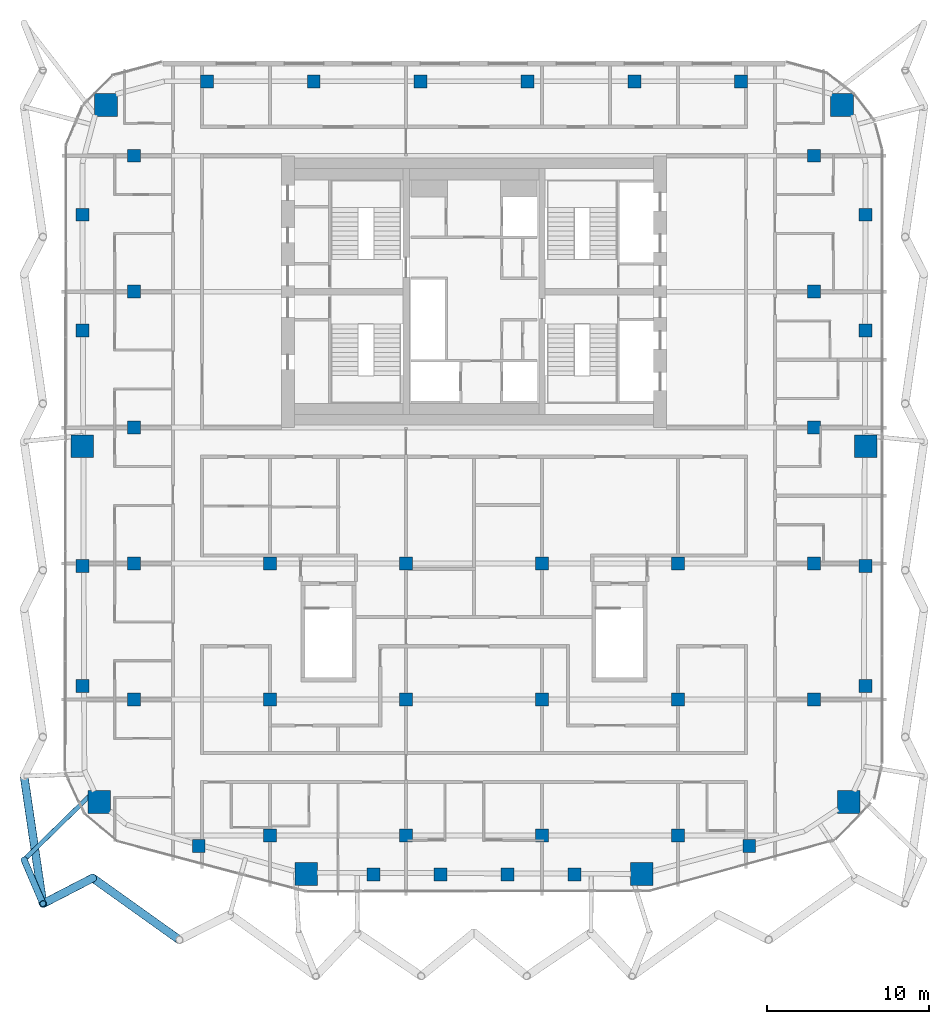
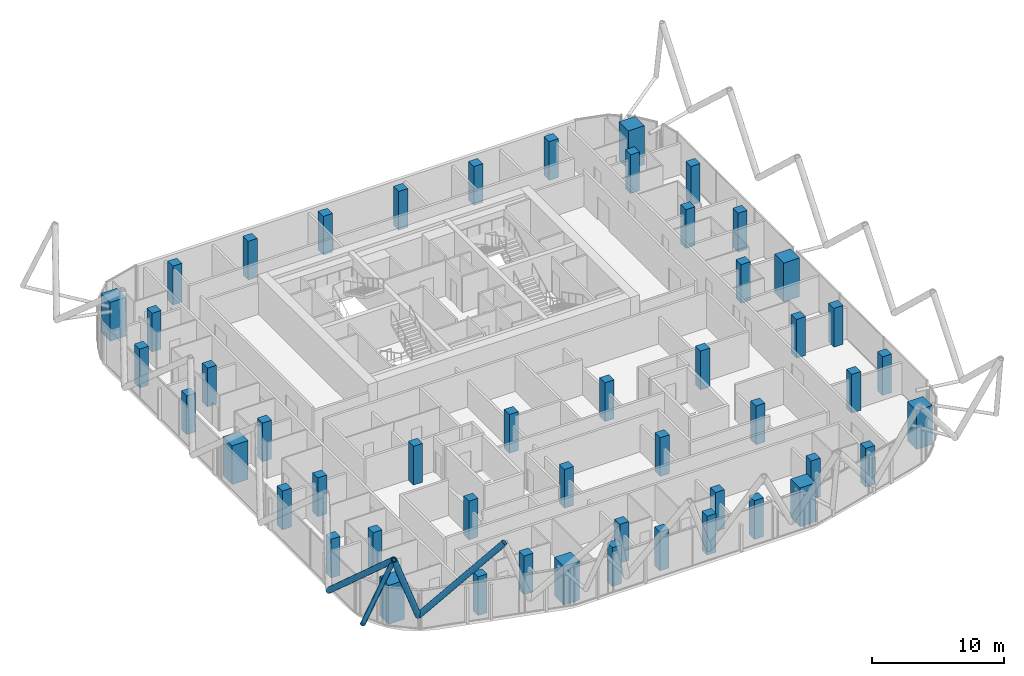
# One storey, part 1 of 33: 50 columns, 5 members.
"""IFC4 building model written with IfcOpenShell, lengths in metres."""

from ifc_helpers import new_model, si_unit, direction, frame, origin, origin_2d, place, context, subcontext, project, spatial, rectangle, hollow_circle, extrude, material, material_profile, profile_set, type_object, element, save


model = new_model("IFC4")

# Units and contexts
model_context = context("Model", 3, precision=1e-05, world=origin(), true_north=direction((0.0, 1.0)))
body_context = subcontext(model_context, "Body", "Model", "MODEL_VIEW")
ifc_project = project(units=[si_unit("LENGTHUNIT", "METRE"), si_unit("AREAUNIT", "SQUARE_METRE"), si_unit("VOLUMEUNIT", "CUBIC_METRE"), si_unit("PLANEANGLEUNIT", "RADIAN"), si_unit("MASSUNIT", "GRAM", prefix="KILO")], contexts=[model_context])

# Site, building, storey
site_placement = place(None, origin())
site = spatial("IfcSite", under=ifc_project, at=site_placement, CompositionType="ELEMENT")
building_placement = place(site_placement, origin())
building = spatial("IfcBuilding", under=site, at=building_placement, Name="Marenta Gate Hotel Tower", CompositionType="ELEMENT")
storey_placement = place(building_placement, frame((0.0, 0.0, 248.89990234375)))
storey = spatial("IfcBuildingStorey", under=building, at=storey_placement, Name="L59", CompositionType="ELEMENT", Elevation=248.89990234375)

# Columns
ifc_material_1 = material(Name="Concrete C60", Category="concrete")
ifc_material_profile_1 = material_profile(ifc_material_1, rectangle(XDim=0.800048828125, YDim=0.800048828125, at=origin_2d()), Name="800 x 800")
ifc_profile_set_1 = profile_set([ifc_material_profile_1], Name="Concrete C60")
column_type_1 = type_object("IfcColumnType", Name="Edge column 800 x 800 C60", PredefinedType="COLUMN", material=ifc_profile_set_1)
for number, where, z_axis, x_axis, name in (
    (1, (-24.199951171875, -15.951904296875, 0.0), (0.0, 0.0, 1.0), (1.0, 0.0, 0.0), "L59-EC-SW-W-1"),
    (2, (-24.199951171875, -8.55078125, 0.0), (0.0, 0.0, 1.0), (1.0, 0.0, 0.0), "L59-EC-SW-W-2"),
    (3, (-24.199951171875, 6.003173828125, 0.0), (0.0, 0.0, 1.0), (1.0, 0.0, 0.0), "L59-EC-W-NW-1"),
    (4, (-24.199951171875, 13.156494140625, 0.0), (0.0, 0.0, 1.0), (1.0, 0.0, 0.0), "L59-EC-W-NW-2"),
    (5, (-16.5068359375, 21.39990234375, 0.0), (0.0, 0.0, 1.0), (1.0, 0.0, 0.0), "L59-EC-NW-NE-1"),
    (6, (-9.904052734375, 21.39990234375, 0.0), (0.0, 0.0, 1.0), (1.0, 0.0, 0.0), "L59-EC-NW-NE-2"),
    (7, (-3.301513671875, 21.39990234375, 0.0), (0.0, 0.0, 1.0), (1.0, 0.0, 0.0), "L59-EC-NW-NE-3"),
    (8, (3.301513671875, 21.39990234375, 0.0), (0.0, 0.0, 1.0), (1.0, 0.0, 0.0), "L59-EC-NW-NE-4"),
    (9, (9.904052734375, 21.39990234375, 0.0), (0.0, 0.0, 1.0), (1.0, 0.0, 0.0), "L59-EC-NW-NE-5"),
    (10, (16.5068359375, 21.39990234375, 0.0), (0.0, 0.0, 1.0), (1.0, 0.0, 0.0), "L59-EC-NW-NE-6"),
    (11, (24.199951171875, 13.156494140625, 0.0), (0.0, 0.0, 1.0), (1.0, 0.0, 0.0), "L59-EC-NE-E-1"),
    (12, (24.199951171875, 6.003173828125, 0.0), (0.0, 0.0, 1.0), (1.0, 0.0, 0.0), "L59-EC-NE-E-2"),
    (13, (24.199951171875, -8.55078125, 0.0), (0.0, 0.0, 1.0), (1.0, 0.0, 0.0), "L59-EC-E-SE-1"),
    (14, (24.199951171875, -15.951904296875, 0.0), (0.0, 0.0, 1.0), (1.0, 0.0, 0.0), "L59-EC-E-SE-2"),
    (15, (17.0068359375, -25.839111328125, 0.0), (0.0, 0.0, 1.0), (1.0, 0.0, 0.0), "L59-EC-SE-SKE-1"),
    (16, (6.22021484375, -27.60009765625, 0.0), (0.0, 0.0, 1.0), (1.0, 0.0, 0.0), "L59-EC-SKE-SKW-1"),
    (17, (2.073486328125, -27.60009765625, 0.0), (0.0, 0.0, 1.0), (1.0, 0.0, 0.0), "L59-EC-SKE-SKW-2"),
    (18, (-2.073486328125, -27.60009765625, 0.0), (0.0, 0.0, 1.0), (1.0, 0.0, 0.0), "L59-EC-SKE-SKW-3"),
    (19, (-6.22021484375, -27.60009765625, 0.0), (0.0, 0.0, 1.0), (1.0, 0.0, 0.0), "L59-EC-SKE-SKW-4"),
    (20, (-17.0068359375, -25.839111328125, 0.0), (0.0, 0.0, 1.0), (1.0, 0.0, 0.0), "L59-EC-SKW-SW-1"),
):
    element("IfcColumn", number, at=place(storey_placement, frame(where, z_axis=z_axis, x_axis=x_axis)), inside=storey, type_object=column_type_1, Name=name, PredefinedType="COLUMN", context=body_context, shape_type="SweptSolid", body=[
        extrude(rectangle(XDim=0.800048828125, YDim=0.800048828125, at=origin_2d()), origin(), (0.0, 0.0, 1.0), 3.60009765625),
    ])
ifc_material_2 = material(Name="Concrete C60", Category="concrete")
ifc_material_profile_2 = material_profile(ifc_material_2, rectangle(XDim=0.800048828125, YDim=0.800048828125, at=origin_2d()), Name="800 x 800")
ifc_profile_set_2 = profile_set([ifc_material_profile_2], Name="Concrete C60")
column_type_2 = type_object("IfcColumnType", Name="Interior column 800 x 800 C60", PredefinedType="COLUMN", material=ifc_profile_set_2)
for number, where, z_axis, x_axis, name in (
    (21, (-21.0, -16.800048828125, 0.0), (0.0, 0.0, 1.0), (1.0, 0.0, 0.0), "L59-IC-4D"),
    (22, (-21.0, -8.39990234375, 0.0), (0.0, 0.0, 1.0), (1.0, 0.0, 0.0), "L59-IC-4E"),
    (23, (-21.0, 0.0, 0.0), (0.0, 0.0, 1.0), (1.0, 0.0, 0.0), "L59-IC-4F"),
    (24, (-21.0, 8.39990234375, 0.0), (0.0, 0.0, 1.0), (1.0, 0.0, 0.0), "L59-IC-4G"),
    (25, (-21.0, 16.800048828125, 0.0), (0.0, 0.0, 1.0), (1.0, 0.0, 0.0), "L59-IC-4H"),
    (26, (-12.60009765625, -25.199951171875, 0.0), (0.0, 0.0, 1.0), (1.0, 0.0, 0.0), "L59-IC-5C"),
    (27, (-12.60009765625, -16.800048828125, 0.0), (0.0, 0.0, 1.0), (1.0, 0.0, 0.0), "L59-IC-5D"),
    (28, (-12.60009765625, -8.39990234375, 0.0), (0.0, 0.0, 1.0), (1.0, 0.0, 0.0), "L59-IC-5E"),
    (29, (-4.199951171875, -25.199951171875, 0.0), (0.0, 0.0, 1.0), (1.0, 0.0, 0.0), "L59-IC-6C"),
    (30, (-4.199951171875, -16.800048828125, 0.0), (0.0, 0.0, 1.0), (1.0, 0.0, 0.0), "L59-IC-6D"),
    (31, (-4.199951171875, -8.39990234375, 0.0), (0.0, 0.0, 1.0), (1.0, 0.0, 0.0), "L59-IC-6E"),
    (32, (4.199951171875, -25.199951171875, 0.0), (0.0, 0.0, 1.0), (1.0, 0.0, 0.0), "L59-IC-7C"),
    (33, (4.199951171875, -16.800048828125, 0.0), (0.0, 0.0, 1.0), (1.0, 0.0, 0.0), "L59-IC-7D"),
    (34, (4.199951171875, -8.39990234375, 0.0), (0.0, 0.0, 1.0), (1.0, 0.0, 0.0), "L59-IC-7E"),
    (35, (12.60009765625, -25.199951171875, 0.0), (0.0, 0.0, 1.0), (1.0, 0.0, 0.0), "L59-IC-8C"),
    (36, (12.60009765625, -16.800048828125, 0.0), (0.0, 0.0, 1.0), (1.0, 0.0, 0.0), "L59-IC-8D"),
    (37, (12.60009765625, -8.39990234375, 0.0), (0.0, 0.0, 1.0), (1.0, 0.0, 0.0), "L59-IC-8E"),
    (38, (21.0, -16.800048828125, 0.0), (0.0, 0.0, 1.0), (1.0, 0.0, 0.0), "L59-IC-9D"),
    (39, (21.0, -8.39990234375, 0.0), (0.0, 0.0, 1.0), (1.0, 0.0, 0.0), "L59-IC-9E"),
    (40, (21.0, 0.0, 0.0), (0.0, 0.0, 1.0), (1.0, 0.0, 0.0), "L59-IC-9F"),
    (41, (21.0, 8.39990234375, 0.0), (0.0, 0.0, 1.0), (1.0, 0.0, 0.0), "L59-IC-9G"),
    (42, (21.0, 16.800048828125, 0.0), (0.0, 0.0, 1.0), (1.0, 0.0, 0.0), "L59-IC-9H"),
):
    element("IfcColumn", number, at=place(storey_placement, frame(where, z_axis=z_axis, x_axis=x_axis)), inside=storey, type_object=column_type_2, Name=name, PredefinedType="COLUMN", context=body_context, shape_type="SweptSolid", body=[
        extrude(rectangle(XDim=0.800048828125, YDim=0.800048828125, at=origin_2d()), origin(), (0.0, 0.0, 1.0), 3.60009765625),
    ])
ifc_material_3 = material(Name="Concrete C60", Category="concrete")
ifc_material_profile_3 = material_profile(ifc_material_3, rectangle(XDim=1.39990234375, YDim=1.39990234375, at=origin_2d()), Name="1400 x 1400")
ifc_profile_set_3 = profile_set([ifc_material_profile_3], Name="Concrete C60")
column_type_3 = type_object("IfcColumnType", Name="Mega column 1400 x 1400 C60", PredefinedType="COLUMN", material=ifc_profile_set_3)
for number, where, z_axis, x_axis, name in (
    (43, (-23.1630859375, -23.133056640625, 0.0), (0.0, 0.0, 1.0), (1.0, 0.0, 0.0), "L59-MC-SW"),
    (44, (-10.3662109375, -27.57470703125, 0.0), (0.0, 0.0, 1.0), (1.0, 0.0, 0.0), "L59-MC-SKW"),
    (45, (10.3662109375, -27.57470703125, 0.0), (0.0, 0.0, 1.0), (1.0, 0.0, 0.0), "L59-MC-SKE"),
    (46, (23.1630859375, -23.133056640625, 0.0), (0.0, 0.0, 1.0), (1.0, 0.0, 0.0), "L59-MC-SE"),
    (47, (24.199951171875, -1.14990234375, 0.0), (0.0, 0.0, 1.0), (1.0, 0.0, 0.0), "L59-MC-E"),
    (48, (22.735595703125, 19.935546875, 0.0), (0.0, 0.0, 1.0), (1.0, 0.0, 0.0), "L59-MC-NE"),
    (49, (-22.735595703125, 19.935546875, 0.0), (0.0, 0.0, 1.0), (1.0, 0.0, 0.0), "L59-MC-NW"),
    (50, (-24.199951171875, -1.14990234375, 0.0), (0.0, 0.0, 1.0), (1.0, 0.0, 0.0), "L59-MC-W"),
):
    element("IfcColumn", number, at=place(storey_placement, frame(where, z_axis=z_axis, x_axis=x_axis)), inside=storey, type_object=column_type_3, Name=name, PredefinedType="COLUMN", context=body_context, shape_type="SweptSolid", body=[
        extrude(rectangle(XDim=1.39990234375, YDim=1.39990234375, at=origin_2d()), origin(), (0.0, 0.0, 1.0), 3.60009765625),
    ])

# Members
ifc_material_4 = material(Name="Steel S355J2W", Category="steel")
ifc_material_profile_4 = material_profile(ifc_material_4, hollow_circle(Radius=0.203125, WallThickness=0.02490234375, at=origin_2d()), Name="CHS 406.4x25")
ifc_profile_set_4 = profile_set([ifc_material_profile_4], Name="Steel S355J2W")
member_type_1 = type_object("IfcMemberType", Name="Diagrid corner post Z3 CHS 406.4x25", PredefinedType="POST", material=ifc_profile_set_4)
member_1_placement = place(storey_placement, frame((-27.800048828125, -26.7001953125, 3.14013671875), z_axis=(0.149723164747, -0.348454624409, 0.925290413149), x_axis=(0.91877663219, 0.394777785775, 0.0)))
element("IfcMember", 51, at=member_1_placement, inside=storey, type_object=member_type_1, Name="L59-DR-5", PredefinedType="POST", context=body_context, shape_type="SweptSolid", body=[
    extrude(hollow_circle(Radius=0.203125, WallThickness=0.02490234375, at=origin_2d()), origin(), (0.0, 0.0, 1.0), 7.78125),
])
ifc_material_5 = material(Name="Steel S355J2W", Category="steel")
ifc_material_profile_5 = material_profile(ifc_material_5, hollow_circle(Radius=0.25390625, WallThickness=0.0400390625, at=origin_2d()), Name="CHS 508x40")
ifc_profile_set_5 = profile_set([ifc_material_profile_5], Name="Steel S355J2W")
member_type_2 = type_object("IfcMemberType", Name="Diagrid diagonal T3 CHS 508x40", PredefinedType="BRACE", material=ifc_profile_set_5)
member_2_placement = place(storey_placement, frame((-23.559814453125, -27.8251953125, 3.14013671875), z_axis=(0.549050131293, -0.391956964026, 0.738182695326), x_axis=(0.581020559609, 0.813888880199, 0.0)))
element("IfcMember", 52, at=member_2_placement, inside=storey, type_object=member_type_2, Name="L59-DG-23", PredefinedType="BRACE", context=body_context, shape_type="SweptSolid", body=[
    extrude(hollow_circle(Radius=0.25390625, WallThickness=0.0400390625, at=origin_2d()), origin(), (0.0, 0.0, 1.0), 9.753662109375),
])
member_3_placement = place(storey_placement, frame((-23.559814453125, -27.8251953125, 3.14013671875), z_axis=(-0.384962623829, -0.198593770216, 0.901312538849), x_axis=(0.458466783996, -0.888711543738, 0.0)))
element("IfcMember", 53, at=member_3_placement, inside=storey, type_object=member_type_2, Name="L59-DG-24", PredefinedType="BRACE", context=body_context, shape_type="SweptSolid", body=[
    extrude(hollow_circle(Radius=0.25390625, WallThickness=0.0400390625, at=origin_2d()), origin(), (0.0, 0.0, 1.0), 7.98828125),
])
member_4_placement = place(storey_placement, frame((-27.800048828125, -21.530029296875, 3.14013671875), z_axis=(0.108491449079, -0.733954201721, 0.670478064707), x_axis=(0.98925079432, 0.146228813632, 0.0)))
element("IfcMember", 54, at=member_4_placement, inside=storey, type_object=member_type_2, Name="L59-DG-25", PredefinedType="BRACE", context=body_context, shape_type="SweptSolid", body=[
    extrude(hollow_circle(Radius=0.25390625, WallThickness=0.0400390625, at=origin_2d()), origin(), (0.0, 0.0, 1.0), 10.738525390625),
])
ifc_material_6 = material(Name="Steel S355J2W", Category="steel")
ifc_material_profile_6 = material_profile(ifc_material_6, hollow_circle(Radius=0.136474609375, WallThickness=0.012451171875, at=origin_2d()), Name="CHS 273x12.5")
ifc_profile_set_6 = profile_set([ifc_material_profile_6], Name="Steel S355J2W")
member_type_3 = type_object("IfcMemberType", Name="Floor tie CHS 273x12.5", PredefinedType="STRUT", material=ifc_profile_set_6)
member_5_placement = place(storey_placement, frame((-27.800048828125, -26.7001953125, 3.14013671875), z_axis=(0.715503492863, 0.698609155179, 0.0), x_axis=(-0.698609155179, 0.715503492863, 0.0)))
element("IfcMember", 55, at=member_5_placement, inside=storey, type_object=member_type_3, Name="L59-DR-18", PredefinedType="STRUT", context=body_context, shape_type="SweptSolid", body=[
    extrude(hollow_circle(Radius=0.136474609375, WallThickness=0.012451171875, at=origin_2d()), origin(), (0.0, 0.0, 1.0), 6.04052734375),
])

save(model, "model.ifc")
